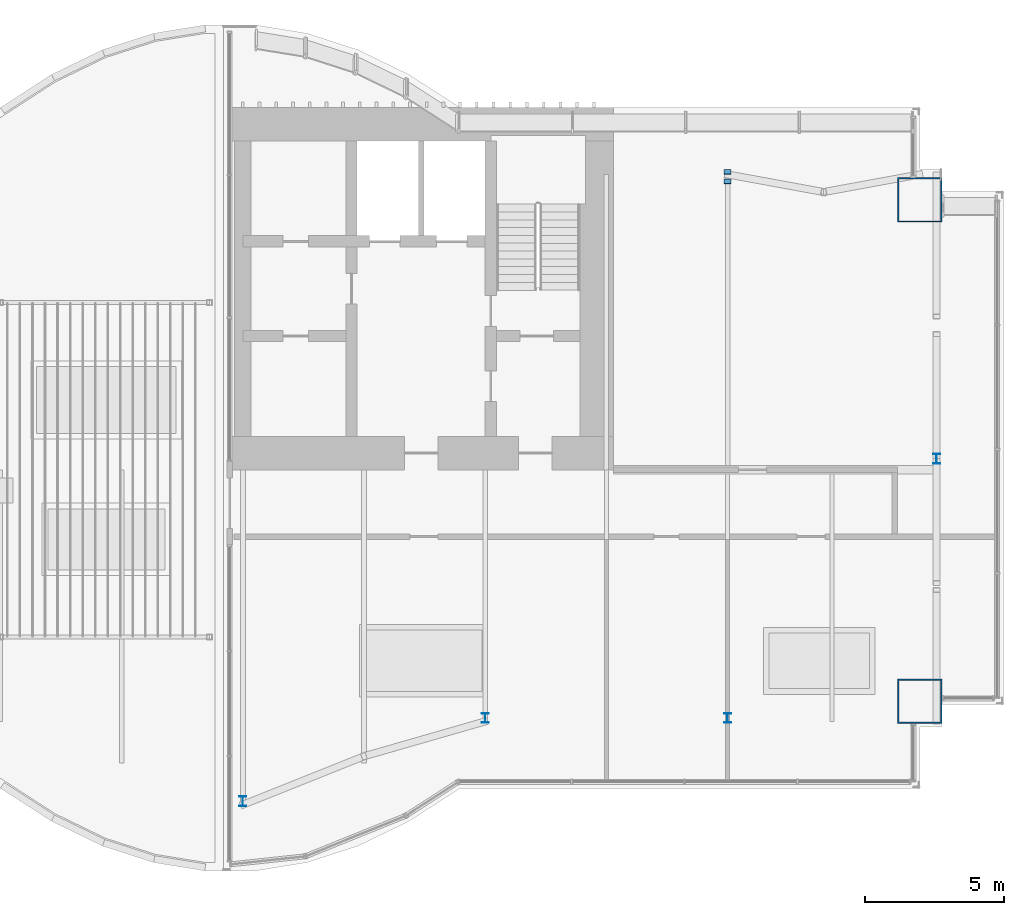
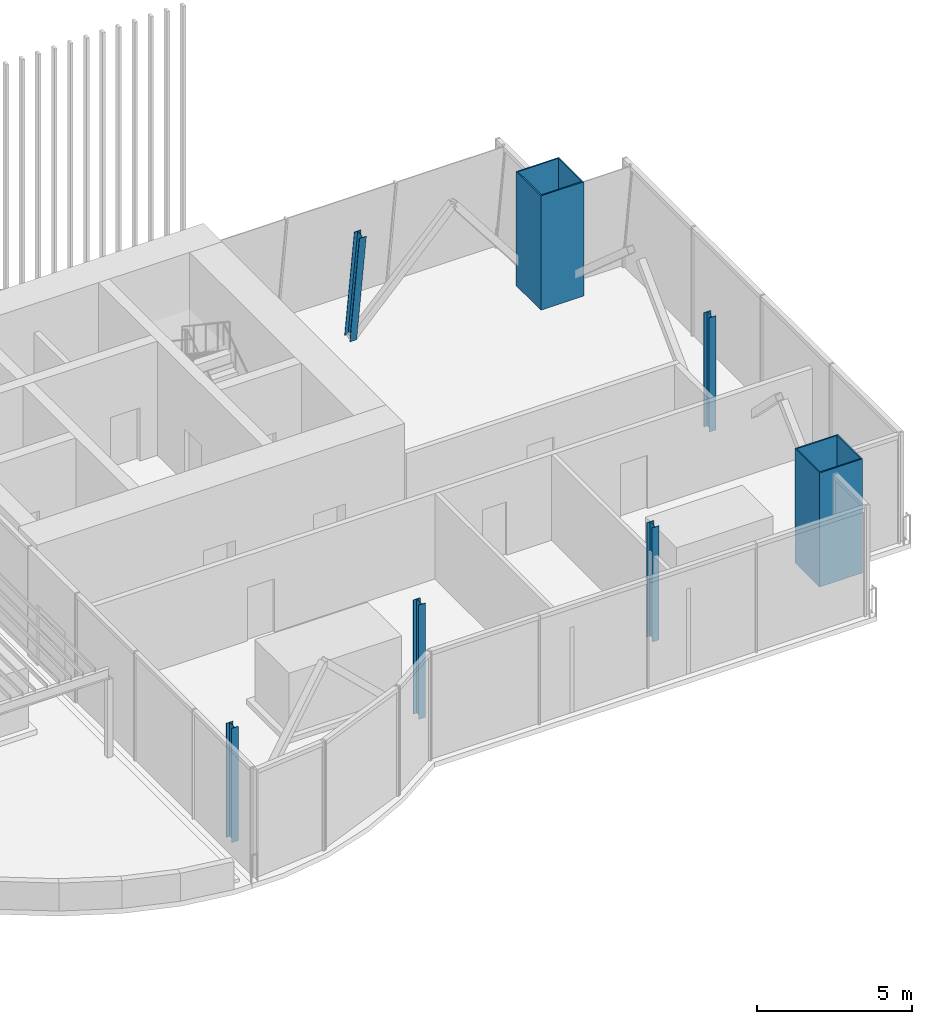
# One storey, part 2 of 18: 7 columns.
"""IFC4 building model written with IfcOpenShell, lengths in metres."""

from ifc_helpers import new_model, si_unit, direction, frame, origin, origin_2d, place, context, subcontext, project, spatial, hollow_rectangle, i_section, extrude, material, material_profile, profile_set, type_object, element, save


model = new_model("IFC4")

# Units and contexts
model_context = context("Model", 3, precision=1e-05, world=origin(), true_north=direction((0.0, 1.0)))
body_context = subcontext(model_context, "Body", "Model", "MODEL_VIEW")
ifc_project = project(units=[si_unit("LENGTHUNIT", "METRE"), si_unit("AREAUNIT", "SQUARE_METRE"), si_unit("VOLUMEUNIT", "CUBIC_METRE"), si_unit("PLANEANGLEUNIT", "RADIAN"), si_unit("MASSUNIT", "GRAM", prefix="KILO")], contexts=[model_context])

# Site, building, storey
site_placement = place(None, origin())
site = spatial("IfcSite", under=ifc_project, at=site_placement, CompositionType="ELEMENT")
building_placement = place(site_placement, origin())
building = spatial("IfcBuilding", under=site, at=building_placement, Name="Bicima Exchange Tower", CompositionType="ELEMENT")
storey_placement = place(building_placement, frame((0.0, 0.0, 347.89990234375)))
storey = spatial("IfcBuildingStorey", under=building, at=storey_placement, Name="L78", CompositionType="ELEMENT", Elevation=347.89990234375)

# Columns
ifc_material_1 = material(Name="Steel ASTM A572 Gr 50", Category="steel")
ifc_material_profile_1 = material_profile(ifc_material_1, hollow_rectangle(XDim=1.60009765625, YDim=1.60009765625, WallThickness=0.050048828125, at=origin_2d()))
ifc_profile_set_1 = profile_set([ifc_material_profile_1], Name="Steel ASTM A572 Gr 50")
column_type_1 = type_object("IfcColumnType", Name="Mega column BOX 1600x1600x50", PredefinedType="COLUMN", material=ifc_profile_set_1)
for number, where, z_axis, x_axis, name in (
    (1, (33.0, -21.31005859375, 0.0), (0.0, 0.0, 1.0), (1.0, 0.0, 0.0), "Mega column mega+33.0f"),
    (2, (33.0, -3.316162109375, 0.0), (0.0, 0.0, 1.0), (1.0, 0.0, 0.0), "Mega column mega+33.0r"),
):
    element("IfcColumn", number, at=place(storey_placement, frame(where, z_axis=z_axis, x_axis=x_axis)), inside=storey, type_object=column_type_1, Name=name, PredefinedType="COLUMN", context=body_context, shape_type="SweptSolid", body=[
        extrude(hollow_rectangle(XDim=1.60009765625, YDim=1.60009765625, WallThickness=0.050048828125, at=origin_2d()), origin(), (0.0, 0.0, 1.0), 4.5),
    ])
ifc_material_2 = material(Name="Steel ASTM A992 Gr 50", Category="steel")
ifc_material_profile_2 = material_profile(ifc_material_2, i_section(OverallWidth=0.25390625, OverallDepth=0.35302734375, WebThickness=0.009521484375, FlangeThickness=0.016357421875, at=origin_2d()))
ifc_profile_set_2 = profile_set([ifc_material_profile_2], Name="Steel ASTM A992 Gr 50")
column_type_2 = type_object("IfcColumnType", Name="Perimeter column W14x61", PredefinedType="COLUMN", material=ifc_profile_set_2)
for number, where, z_axis, x_axis, name in (
    (3, (8.699951171875, -24.901123046875, 0.0), (0.0, 0.0, 1.0), (1.0, 0.0, 0.0), "Perimeter column grav+8.7f"),
    (4, (17.39990234375, -21.909912109375, 0.0), (0.0, 0.0, 1.0), (1.0, 0.0, 0.0), "Perimeter column grav+17.4f"),
    (5, (26.10009765625, -21.909912109375, 0.0), (0.0, 0.0, 1.0), (1.0, 0.0, 0.0), "Perimeter column grav+26.1f"),
):
    element("IfcColumn", number, at=place(storey_placement, frame(where, z_axis=z_axis, x_axis=x_axis)), inside=storey, type_object=column_type_2, Name=name, PredefinedType="COLUMN", context=body_context, shape_type="SweptSolid", body=[
        extrude(i_section(OverallWidth=0.25390625, OverallDepth=0.35302734375, WebThickness=0.009521484375, FlangeThickness=0.016357421875, at=origin_2d()), origin(), (0.0, 0.0, 1.0), 4.5),
    ])
column_1_placement = place(storey_placement, frame((26.10009765625, -2.4033203125, 0.0244140625), z_axis=(0.0, -0.139200740592, 0.990264183851), x_axis=(1.0, 0.0, 0.0)))
element("IfcColumn", 6, at=column_1_placement, inside=storey, type_object=column_type_2, Name="Perimeter column grav+26.1r", PredefinedType="COLUMN", context=body_context, shape_type="SweptSolid", body=[
    extrude(i_section(OverallWidth=0.25390625, OverallDepth=0.35302734375, WebThickness=0.009521484375, FlangeThickness=0.016357421875, at=origin_2d()), origin(), (0.0, 0.0, 1.0), 4.4951171875),
])
column_2_placement = place(storey_placement, frame((33.60009765625, -12.60009765625, 0.0), z_axis=(0.0, 0.0, 1.0), x_axis=(1.0, 0.0, 0.0)))
element("IfcColumn", 7, at=column_2_placement, inside=storey, type_object=column_type_2, Name="End column end+33.6e", PredefinedType="COLUMN", context=body_context, shape_type="SweptSolid", body=[
    extrude(i_section(OverallWidth=0.25390625, OverallDepth=0.35302734375, WebThickness=0.009521484375, FlangeThickness=0.016357421875, at=origin_2d()), origin(), (0.0, 0.0, 1.0), 4.5),
])

save(model, "model.ifc")
